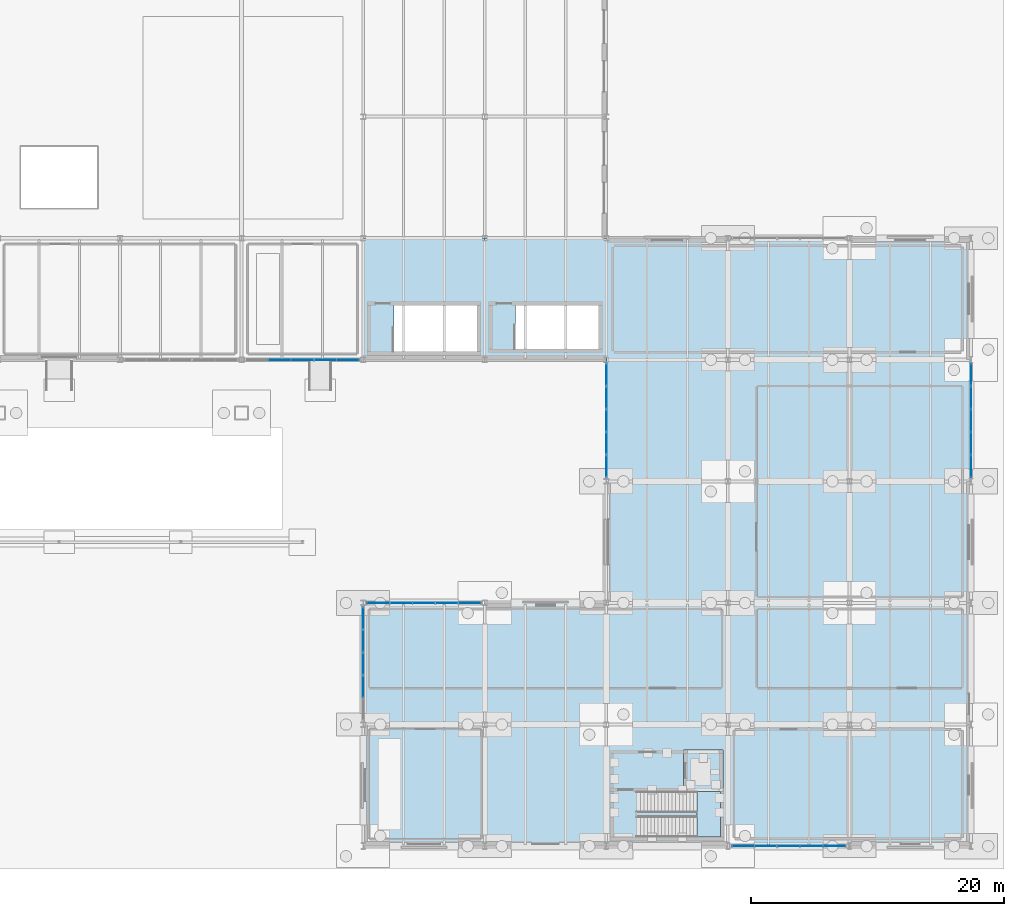
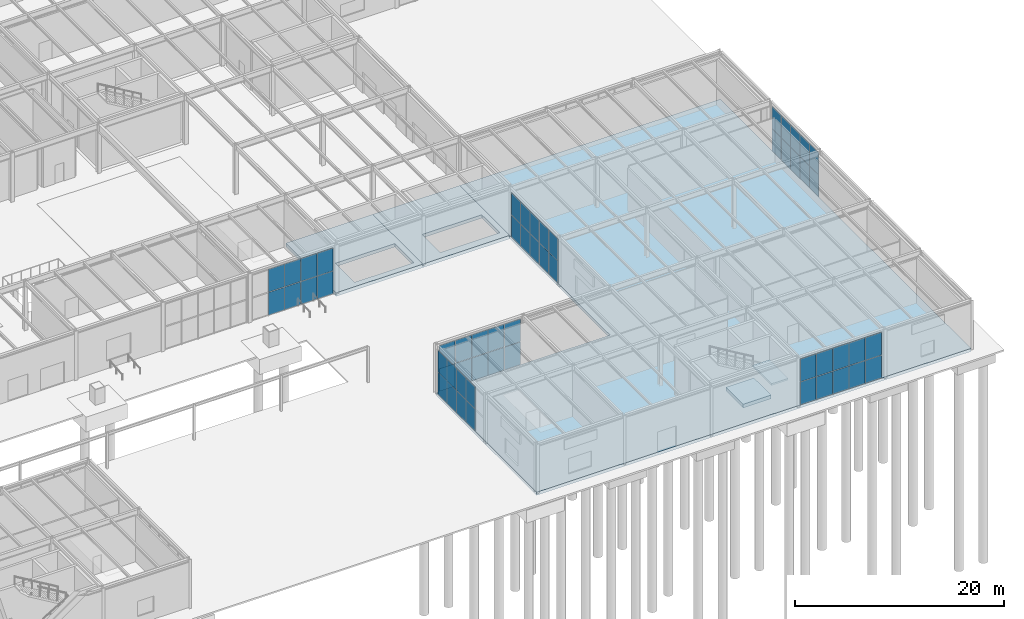
# One storey, part 110 of 142: 56 plates, 5 slabs, 7 elements without a shape of their own.
"""IFC4 building model written with IfcOpenShell, lengths in metres."""

from ifc_helpers import new_model, si_unit, direction, frame, origin, origin_2d, place, context, subcontext, project, spatial, polyline, rectangle, outline, extrude, material, layer, layer_set, type_object, element, aggregate, save


model = new_model("IFC4")

# Units and contexts
model_context = context("Model", 3, precision=1e-05, world=origin(), true_north=direction((0.0, 1.0)))
body_context = subcontext(model_context, "Body", "Model", "MODEL_VIEW")
ifc_project = project(units=[si_unit("LENGTHUNIT", "METRE"), si_unit("AREAUNIT", "SQUARE_METRE"), si_unit("VOLUMEUNIT", "CUBIC_METRE"), si_unit("PLANEANGLEUNIT", "RADIAN"), si_unit("MASSUNIT", "GRAM", prefix="KILO")], contexts=[model_context])

# Site, building, storey
site_placement = place(None, origin())
site = spatial("IfcSite", under=ifc_project, at=site_placement, CompositionType="ELEMENT")
building_placement = place(site_placement, origin())
building = spatial("IfcBuilding", under=site, at=building_placement, Name="Coralgate Yard Interchange", CompositionType="ELEMENT")
storey_placement = place(building_placement, origin())
storey = spatial("IfcBuildingStorey", under=building, at=storey_placement, Name="L00", CompositionType="ELEMENT", Elevation=0.0)

# Curtain wall, plates
ifc_material_1 = material(Name="Anodised coastal aluminium and solar-control low-E glass", Category="aluminium")
curtain_wall_type_1 = type_object("IfcCurtainWallType", Name="CW-CW-L00-A", PredefinedType="NOTDEFINED", material=ifc_material_1)
curtain_wall_1_placement = place(storey_placement, origin())
curtain_wall_1 = element("IfcCurtainWall", 1, at=curtain_wall_1_placement, inside=storey, type_object=curtain_wall_type_1, Name="L00 unitised curtain wall CW-L00-S-13-04", PredefinedType="NOTDEFINED")
ifc_material_2 = material(Name="Solar-control double-glazed low-E glass unit", Category="glass")
ifc_layer_1 = layer(ifc_material_2, 0.0419921875)
ifc_layer_set_1 = layer_set([ifc_layer_1], Name="Solar-control double-glazed low-E glass unit")
plate_type = type_object("IfcPlateType", Name="PLT-CP-42", PredefinedType="CURTAIN_PANEL", material=ifc_layer_set_1)
plate_1_placement = place(storey_placement, frame((133.199951171875, 38.39990234375, 0.025146484375), z_axis=(0.0, 0.0, 1.0), x_axis=(-1.0, 0.0, 0.0)))
plate_1 = element("IfcPlate", 2, at=plate_1_placement, type_object=plate_type, Name="CW-L00-S-13-04 solar-control glazing panel 1-1", PredefinedType="CURTAIN_PANEL", context=body_context, shape_type="SweptSolid", body=[
    extrude(rectangle(XDim=1.75, YDim=0.0419921875, at=origin_2d()), origin(), (0.0, 0.0, 1.0), 2.64990234375),
])
plate_2_placement = place(storey_placement, frame((133.199951171875, 38.39990234375, 2.72509765625), z_axis=(0.0, 0.0, 1.0), x_axis=(-1.0, 0.0, 0.0)))
plate_2 = element("IfcPlate", 3, at=plate_2_placement, type_object=plate_type, Name="CW-L00-S-13-04 solar-control glazing panel 1-2", PredefinedType="CURTAIN_PANEL", context=body_context, shape_type="SweptSolid", body=[
    extrude(rectangle(XDim=1.75, YDim=0.0419921875, at=origin_2d()), origin(), (0.0, 0.0, 1.0), 2.64990234375),
])
plate_3_placement = place(storey_placement, frame((131.39990234375, 38.39990234375, 0.025146484375), z_axis=(0.0, 0.0, 1.0), x_axis=(-1.0, 0.0, 0.0)))
plate_3 = element("IfcPlate", 4, at=plate_3_placement, type_object=plate_type, Name="CW-L00-S-13-04 solar-control glazing panel 2-1", PredefinedType="CURTAIN_PANEL", context=body_context, shape_type="SweptSolid", body=[
    extrude(rectangle(XDim=1.75, YDim=0.0419921875, at=origin_2d()), origin(), (0.0, 0.0, 1.0), 2.64990234375),
])
plate_4_placement = place(storey_placement, frame((131.39990234375, 38.39990234375, 2.72509765625), z_axis=(0.0, 0.0, 1.0), x_axis=(-1.0, 0.0, 0.0)))
plate_4 = element("IfcPlate", 5, at=plate_4_placement, type_object=plate_type, Name="CW-L00-S-13-04 solar-control glazing panel 2-2", PredefinedType="CURTAIN_PANEL", context=body_context, shape_type="SweptSolid", body=[
    extrude(rectangle(XDim=1.75, YDim=0.0419921875, at=origin_2d()), origin(), (0.0, 0.0, 1.0), 2.64990234375),
])
plate_5_placement = place(storey_placement, frame((129.60009765625, 38.39990234375, 0.025146484375), z_axis=(0.0, 0.0, 1.0), x_axis=(-1.0, 0.0, 0.0)))
plate_5 = element("IfcPlate", 6, at=plate_5_placement, type_object=plate_type, Name="CW-L00-S-13-04 solar-control glazing panel 3-1", PredefinedType="CURTAIN_PANEL", context=body_context, shape_type="SweptSolid", body=[
    extrude(rectangle(XDim=1.75, YDim=0.0419921875, at=origin_2d()), origin(), (0.0, 0.0, 1.0), 2.64990234375),
])
plate_6_placement = place(storey_placement, frame((129.60009765625, 38.39990234375, 2.72509765625), z_axis=(0.0, 0.0, 1.0), x_axis=(-1.0, 0.0, 0.0)))
plate_6 = element("IfcPlate", 7, at=plate_6_placement, type_object=plate_type, Name="CW-L00-S-13-04 solar-control glazing panel 3-2", PredefinedType="CURTAIN_PANEL", context=body_context, shape_type="SweptSolid", body=[
    extrude(rectangle(XDim=1.75, YDim=0.0419921875, at=origin_2d()), origin(), (0.0, 0.0, 1.0), 2.64990234375),
])
plate_7_placement = place(storey_placement, frame((127.800048828125, 38.39990234375, 0.025146484375), z_axis=(0.0, 0.0, 1.0), x_axis=(-1.0, 0.0, 0.0)))
plate_7 = element("IfcPlate", 8, at=plate_7_placement, type_object=plate_type, Name="CW-L00-S-13-04 solar-control glazing panel 4-1", PredefinedType="CURTAIN_PANEL", context=body_context, shape_type="SweptSolid", body=[
    extrude(rectangle(XDim=1.75, YDim=0.0419921875, at=origin_2d()), origin(), (0.0, 0.0, 1.0), 2.64990234375),
])
plate_8_placement = place(storey_placement, frame((127.800048828125, 38.39990234375, 2.72509765625), z_axis=(0.0, 0.0, 1.0), x_axis=(-1.0, 0.0, 0.0)))
plate_8 = element("IfcPlate", 9, at=plate_8_placement, type_object=plate_type, Name="CW-L00-S-13-04 solar-control glazing panel 4-2", PredefinedType="CURTAIN_PANEL", context=body_context, shape_type="SweptSolid", body=[
    extrude(rectangle(XDim=1.75, YDim=0.0419921875, at=origin_2d()), origin(), (0.0, 0.0, 1.0), 2.64990234375),
])
aggregate(curtain_wall_1, [plate_1, plate_2, plate_3, plate_4, plate_5, plate_6, plate_7, plate_8])

curtain_wall_2_placement = place(storey_placement, origin())
curtain_wall_2 = element("IfcCurtainWall", 10, at=curtain_wall_2_placement, inside=storey, type_object=curtain_wall_type_1, Name="L00 unitised curtain wall CW-L00-W-14-01", PredefinedType="NOTDEFINED")
plate_9_placement = place(storey_placement, frame((134.39990234375, 12.60009765625, 0.02490234375), z_axis=(0.0, 0.0, 1.0), x_axis=(0.0, 1.0, 0.0)))
plate_9 = element("IfcPlate", 11, at=plate_9_placement, type_object=plate_type, Name="CW-L00-W-14-01 solar-control glazing panel 2-1", PredefinedType="CURTAIN_PANEL", context=body_context, shape_type="SweptSolid", body=[
    extrude(rectangle(XDim=1.75, YDim=0.0419921875, at=origin_2d()), origin(), (0.0, 0.0, 1.0), 2.558349609375),
])
plate_10_placement = place(storey_placement, frame((134.39990234375, 12.60009765625, 2.63330078125), z_axis=(0.0, 0.0, 1.0), x_axis=(0.0, 1.0, 0.0)))
plate_10 = element("IfcPlate", 12, at=plate_10_placement, type_object=plate_type, Name="CW-L00-W-14-01 solar-control glazing panel 2-2", PredefinedType="CURTAIN_PANEL", context=body_context, shape_type="SweptSolid", body=[
    extrude(rectangle(XDim=1.75, YDim=0.0419921875, at=origin_2d()), origin(), (0.0, 0.0, 1.0), 2.558349609375),
])
plate_11_placement = place(storey_placement, frame((134.39990234375, 14.39990234375, 0.02490234375), z_axis=(0.0, 0.0, 1.0), x_axis=(0.0, 1.0, 0.0)))
plate_11 = element("IfcPlate", 13, at=plate_11_placement, type_object=plate_type, Name="CW-L00-W-14-01 solar-control glazing panel 3-1", PredefinedType="CURTAIN_PANEL", context=body_context, shape_type="SweptSolid", body=[
    extrude(rectangle(XDim=1.75, YDim=0.0419921875, at=origin_2d()), origin(), (0.0, 0.0, 1.0), 2.558349609375),
])
plate_12_placement = place(storey_placement, frame((134.39990234375, 14.39990234375, 2.63330078125), z_axis=(0.0, 0.0, 1.0), x_axis=(0.0, 1.0, 0.0)))
plate_12 = element("IfcPlate", 14, at=plate_12_placement, type_object=plate_type, Name="CW-L00-W-14-01 solar-control glazing panel 3-2", PredefinedType="CURTAIN_PANEL", context=body_context, shape_type="SweptSolid", body=[
    extrude(rectangle(XDim=1.75, YDim=0.0419921875, at=origin_2d()), origin(), (0.0, 0.0, 1.0), 2.558349609375),
])
plate_13_placement = place(storey_placement, frame((134.39990234375, 16.199951171875, 0.02490234375), z_axis=(0.0, 0.0, 1.0), x_axis=(0.0, 1.0, 0.0)))
plate_13 = element("IfcPlate", 15, at=plate_13_placement, type_object=plate_type, Name="CW-L00-W-14-01 solar-control glazing panel 4-1", PredefinedType="CURTAIN_PANEL", context=body_context, shape_type="SweptSolid", body=[
    extrude(rectangle(XDim=1.75, YDim=0.0419921875, at=origin_2d()), origin(), (0.0, 0.0, 1.0), 2.558349609375),
])
plate_14_placement = place(storey_placement, frame((134.39990234375, 16.199951171875, 2.63330078125), z_axis=(0.0, 0.0, 1.0), x_axis=(0.0, 1.0, 0.0)))
plate_14 = element("IfcPlate", 16, at=plate_14_placement, type_object=plate_type, Name="CW-L00-W-14-01 solar-control glazing panel 4-2", PredefinedType="CURTAIN_PANEL", context=body_context, shape_type="SweptSolid", body=[
    extrude(rectangle(XDim=1.75, YDim=0.0419921875, at=origin_2d()), origin(), (0.0, 0.0, 1.0), 2.558349609375),
])
plate_15_placement = place(storey_placement, frame((134.39990234375, 18.0, 0.02490234375), z_axis=(0.0, 0.0, 1.0), x_axis=(0.0, 1.0, 0.0)))
plate_15 = element("IfcPlate", 17, at=plate_15_placement, type_object=plate_type, Name="CW-L00-W-14-01 solar-control glazing panel 5-1", PredefinedType="CURTAIN_PANEL", context=body_context, shape_type="SweptSolid", body=[
    extrude(rectangle(XDim=1.75, YDim=0.0419921875, at=origin_2d()), origin(), (0.0, 0.0, 1.0), 2.558349609375),
])
plate_16_placement = place(storey_placement, frame((134.39990234375, 18.0, 2.63330078125), z_axis=(0.0, 0.0, 1.0), x_axis=(0.0, 1.0, 0.0)))
plate_16 = element("IfcPlate", 18, at=plate_16_placement, type_object=plate_type, Name="CW-L00-W-14-01 solar-control glazing panel 5-2", PredefinedType="CURTAIN_PANEL", context=body_context, shape_type="SweptSolid", body=[
    extrude(rectangle(XDim=1.75, YDim=0.0419921875, at=origin_2d()), origin(), (0.0, 0.0, 1.0), 2.558349609375),
])
aggregate(curtain_wall_2, [plate_9, plate_10, plate_11, plate_12, plate_13, plate_14, plate_15, plate_16])

curtain_wall_type_2 = type_object("IfcCurtainWallType", Name="CW-CW-L00-B", PredefinedType="NOTDEFINED", material=ifc_material_1)
curtain_wall_3_placement = place(storey_placement, origin())
curtain_wall_3 = element("IfcCurtainWall", 19, at=curtain_wall_3_placement, inside=storey, type_object=curtain_wall_type_2, Name="L00 unitised curtain wall CW-L00-N-14-01", PredefinedType="NOTDEFINED")
plate_17_placement = place(storey_placement, frame((135.60009765625, 19.199951171875, 0.025146484375), z_axis=(0.0, 0.0, 1.0), x_axis=(1.0, 0.0, 0.0)))
plate_17 = element("IfcPlate", 20, at=plate_17_placement, type_object=plate_type, Name="CW-L00-N-14-01 solar-control glazing panel 1-1", PredefinedType="CURTAIN_PANEL", context=body_context, shape_type="SweptSolid", body=[
    extrude(rectangle(XDim=1.75, YDim=0.0419921875, at=origin_2d()), origin(), (0.0, 0.0, 1.0), 2.64990234375),
])
plate_18_placement = place(storey_placement, frame((135.60009765625, 19.199951171875, 2.72509765625), z_axis=(0.0, 0.0, 1.0), x_axis=(1.0, 0.0, 0.0)))
plate_18 = element("IfcPlate", 21, at=plate_18_placement, type_object=plate_type, Name="CW-L00-N-14-01 solar-control glazing panel 1-2", PredefinedType="CURTAIN_PANEL", context=body_context, shape_type="SweptSolid", body=[
    extrude(rectangle(XDim=1.75, YDim=0.0419921875, at=origin_2d()), origin(), (0.0, 0.0, 1.0), 2.64990234375),
])
plate_19_placement = place(storey_placement, frame((137.39990234375, 19.199951171875, 0.025146484375), z_axis=(0.0, 0.0, 1.0), x_axis=(1.0, 0.0, 0.0)))
plate_19 = element("IfcPlate", 22, at=plate_19_placement, type_object=plate_type, Name="CW-L00-N-14-01 solar-control glazing panel 2-1", PredefinedType="CURTAIN_PANEL", context=body_context, shape_type="SweptSolid", body=[
    extrude(rectangle(XDim=1.75, YDim=0.0419921875, at=origin_2d()), origin(), (0.0, 0.0, 1.0), 2.64990234375),
])
plate_20_placement = place(storey_placement, frame((137.39990234375, 19.199951171875, 2.72509765625), z_axis=(0.0, 0.0, 1.0), x_axis=(1.0, 0.0, 0.0)))
plate_20 = element("IfcPlate", 23, at=plate_20_placement, type_object=plate_type, Name="CW-L00-N-14-01 solar-control glazing panel 2-2", PredefinedType="CURTAIN_PANEL", context=body_context, shape_type="SweptSolid", body=[
    extrude(rectangle(XDim=1.75, YDim=0.0419921875, at=origin_2d()), origin(), (0.0, 0.0, 1.0), 2.64990234375),
])
plate_21_placement = place(storey_placement, frame((139.199951171875, 19.199951171875, 0.025146484375), z_axis=(0.0, 0.0, 1.0), x_axis=(1.0, 0.0, 0.0)))
plate_21 = element("IfcPlate", 24, at=plate_21_placement, type_object=plate_type, Name="CW-L00-N-14-01 solar-control glazing panel 3-1", PredefinedType="CURTAIN_PANEL", context=body_context, shape_type="SweptSolid", body=[
    extrude(rectangle(XDim=1.75, YDim=0.0419921875, at=origin_2d()), origin(), (0.0, 0.0, 1.0), 2.64990234375),
])
plate_22_placement = place(storey_placement, frame((139.199951171875, 19.199951171875, 2.72509765625), z_axis=(0.0, 0.0, 1.0), x_axis=(1.0, 0.0, 0.0)))
plate_22 = element("IfcPlate", 25, at=plate_22_placement, type_object=plate_type, Name="CW-L00-N-14-01 solar-control glazing panel 3-2", PredefinedType="CURTAIN_PANEL", context=body_context, shape_type="SweptSolid", body=[
    extrude(rectangle(XDim=1.75, YDim=0.0419921875, at=origin_2d()), origin(), (0.0, 0.0, 1.0), 2.64990234375),
])
plate_23_placement = place(storey_placement, frame((141.0, 19.199951171875, 0.025146484375), z_axis=(0.0, 0.0, 1.0), x_axis=(1.0, 0.0, 0.0)))
plate_23 = element("IfcPlate", 26, at=plate_23_placement, type_object=plate_type, Name="CW-L00-N-14-01 solar-control glazing panel 4-1", PredefinedType="CURTAIN_PANEL", context=body_context, shape_type="SweptSolid", body=[
    extrude(rectangle(XDim=1.75, YDim=0.0419921875, at=origin_2d()), origin(), (0.0, 0.0, 1.0), 2.64990234375),
])
plate_24_placement = place(storey_placement, frame((141.0, 19.199951171875, 2.72509765625), z_axis=(0.0, 0.0, 1.0), x_axis=(1.0, 0.0, 0.0)))
plate_24 = element("IfcPlate", 27, at=plate_24_placement, type_object=plate_type, Name="CW-L00-N-14-01 solar-control glazing panel 4-2", PredefinedType="CURTAIN_PANEL", context=body_context, shape_type="SweptSolid", body=[
    extrude(rectangle(XDim=1.75, YDim=0.0419921875, at=origin_2d()), origin(), (0.0, 0.0, 1.0), 2.64990234375),
])
plate_25_placement = place(storey_placement, frame((142.800048828125, 19.199951171875, 0.025146484375), z_axis=(0.0, 0.0, 1.0), x_axis=(1.0, 0.0, 0.0)))
plate_25 = element("IfcPlate", 28, at=plate_25_placement, type_object=plate_type, Name="CW-L00-N-14-01 solar-control glazing panel 5-1", PredefinedType="CURTAIN_PANEL", context=body_context, shape_type="SweptSolid", body=[
    extrude(rectangle(XDim=1.75, YDim=0.0419921875, at=origin_2d()), origin(), (0.0, 0.0, 1.0), 2.64990234375),
])
plate_26_placement = place(storey_placement, frame((142.800048828125, 19.199951171875, 2.72509765625), z_axis=(0.0, 0.0, 1.0), x_axis=(1.0, 0.0, 0.0)))
plate_26 = element("IfcPlate", 29, at=plate_26_placement, type_object=plate_type, Name="CW-L00-N-14-01 solar-control glazing panel 5-2", PredefinedType="CURTAIN_PANEL", context=body_context, shape_type="SweptSolid", body=[
    extrude(rectangle(XDim=1.75, YDim=0.0419921875, at=origin_2d()), origin(), (0.0, 0.0, 1.0), 2.64990234375),
])
aggregate(curtain_wall_3, [plate_17, plate_18, plate_19, plate_20, plate_21, plate_22, plate_23, plate_24, plate_25, plate_26])

curtain_wall_4_placement = place(storey_placement, origin())
curtain_wall_4 = element("IfcCurtainWall", 30, at=curtain_wall_4_placement, inside=storey, type_object=curtain_wall_type_2, Name="L00 unitised curtain wall CW-L00-W-16-03", PredefinedType="NOTDEFINED")
plate_27_placement = place(storey_placement, frame((153.60009765625, 30.0, 0.02490234375), z_axis=(0.0, 0.0, 1.0), x_axis=(0.0, 1.0, 0.0)))
plate_27 = element("IfcPlate", 31, at=plate_27_placement, type_object=plate_type, Name="CW-L00-W-16-03 solar-control glazing panel 1-1", PredefinedType="CURTAIN_PANEL", context=body_context, shape_type="SweptSolid", body=[
    extrude(rectangle(XDim=1.75, YDim=0.0419921875, at=origin_2d()), origin(), (0.0, 0.0, 1.0), 2.558349609375),
])
plate_28_placement = place(storey_placement, frame((153.60009765625, 30.0, 2.63330078125), z_axis=(0.0, 0.0, 1.0), x_axis=(0.0, 1.0, 0.0)))
plate_28 = element("IfcPlate", 32, at=plate_28_placement, type_object=plate_type, Name="CW-L00-W-16-03 solar-control glazing panel 1-2", PredefinedType="CURTAIN_PANEL", context=body_context, shape_type="SweptSolid", body=[
    extrude(rectangle(XDim=1.75, YDim=0.0419921875, at=origin_2d()), origin(), (0.0, 0.0, 1.0), 2.558349609375),
])
plate_29_placement = place(storey_placement, frame((153.60009765625, 31.800048828125, 0.02490234375), z_axis=(0.0, 0.0, 1.0), x_axis=(0.0, 1.0, 0.0)))
plate_29 = element("IfcPlate", 33, at=plate_29_placement, type_object=plate_type, Name="CW-L00-W-16-03 solar-control glazing panel 2-1", PredefinedType="CURTAIN_PANEL", context=body_context, shape_type="SweptSolid", body=[
    extrude(rectangle(XDim=1.75, YDim=0.0419921875, at=origin_2d()), origin(), (0.0, 0.0, 1.0), 2.558349609375),
])
plate_30_placement = place(storey_placement, frame((153.60009765625, 31.800048828125, 2.63330078125), z_axis=(0.0, 0.0, 1.0), x_axis=(0.0, 1.0, 0.0)))
plate_30 = element("IfcPlate", 34, at=plate_30_placement, type_object=plate_type, Name="CW-L00-W-16-03 solar-control glazing panel 2-2", PredefinedType="CURTAIN_PANEL", context=body_context, shape_type="SweptSolid", body=[
    extrude(rectangle(XDim=1.75, YDim=0.0419921875, at=origin_2d()), origin(), (0.0, 0.0, 1.0), 2.558349609375),
])
plate_31_placement = place(storey_placement, frame((153.60009765625, 33.60009765625, 0.02490234375), z_axis=(0.0, 0.0, 1.0), x_axis=(0.0, 1.0, 0.0)))
plate_31 = element("IfcPlate", 35, at=plate_31_placement, type_object=plate_type, Name="CW-L00-W-16-03 solar-control glazing panel 3-1", PredefinedType="CURTAIN_PANEL", context=body_context, shape_type="SweptSolid", body=[
    extrude(rectangle(XDim=1.75, YDim=0.0419921875, at=origin_2d()), origin(), (0.0, 0.0, 1.0), 2.558349609375),
])
plate_32_placement = place(storey_placement, frame((153.60009765625, 33.60009765625, 2.63330078125), z_axis=(0.0, 0.0, 1.0), x_axis=(0.0, 1.0, 0.0)))
plate_32 = element("IfcPlate", 36, at=plate_32_placement, type_object=plate_type, Name="CW-L00-W-16-03 solar-control glazing panel 3-2", PredefinedType="CURTAIN_PANEL", context=body_context, shape_type="SweptSolid", body=[
    extrude(rectangle(XDim=1.75, YDim=0.0419921875, at=origin_2d()), origin(), (0.0, 0.0, 1.0), 2.558349609375),
])
plate_33_placement = place(storey_placement, frame((153.60009765625, 35.39990234375, 0.02490234375), z_axis=(0.0, 0.0, 1.0), x_axis=(0.0, 1.0, 0.0)))
plate_33 = element("IfcPlate", 37, at=plate_33_placement, type_object=plate_type, Name="CW-L00-W-16-03 solar-control glazing panel 4-1", PredefinedType="CURTAIN_PANEL", context=body_context, shape_type="SweptSolid", body=[
    extrude(rectangle(XDim=1.75, YDim=0.0419921875, at=origin_2d()), origin(), (0.0, 0.0, 1.0), 2.558349609375),
])
plate_34_placement = place(storey_placement, frame((153.60009765625, 35.39990234375, 2.63330078125), z_axis=(0.0, 0.0, 1.0), x_axis=(0.0, 1.0, 0.0)))
plate_34 = element("IfcPlate", 38, at=plate_34_placement, type_object=plate_type, Name="CW-L00-W-16-03 solar-control glazing panel 4-2", PredefinedType="CURTAIN_PANEL", context=body_context, shape_type="SweptSolid", body=[
    extrude(rectangle(XDim=1.75, YDim=0.0419921875, at=origin_2d()), origin(), (0.0, 0.0, 1.0), 2.558349609375),
])
plate_35_placement = place(storey_placement, frame((153.60009765625, 37.199951171875, 0.02490234375), z_axis=(0.0, 0.0, 1.0), x_axis=(0.0, 1.0, 0.0)))
plate_35 = element("IfcPlate", 39, at=plate_35_placement, type_object=plate_type, Name="CW-L00-W-16-03 solar-control glazing panel 5-1", PredefinedType="CURTAIN_PANEL", context=body_context, shape_type="SweptSolid", body=[
    extrude(rectangle(XDim=1.75, YDim=0.0419921875, at=origin_2d()), origin(), (0.0, 0.0, 1.0), 2.558349609375),
])
plate_36_placement = place(storey_placement, frame((153.60009765625, 37.199951171875, 2.63330078125), z_axis=(0.0, 0.0, 1.0), x_axis=(0.0, 1.0, 0.0)))
plate_36 = element("IfcPlate", 40, at=plate_36_placement, type_object=plate_type, Name="CW-L00-W-16-03 solar-control glazing panel 5-2", PredefinedType="CURTAIN_PANEL", context=body_context, shape_type="SweptSolid", body=[
    extrude(rectangle(XDim=1.75, YDim=0.0419921875, at=origin_2d()), origin(), (0.0, 0.0, 1.0), 2.558349609375),
])
aggregate(curtain_wall_4, [plate_27, plate_28, plate_29, plate_30, plate_31, plate_32, plate_33, plate_34, plate_35, plate_36])

curtain_wall_5_placement = place(storey_placement, origin())
curtain_wall_5 = element("IfcCurtainWall", 41, at=curtain_wall_5_placement, inside=storey, type_object=curtain_wall_type_2, Name="L00 unitised curtain wall CW-L00-S-17-00", PredefinedType="NOTDEFINED")
plate_37_placement = place(storey_placement, frame((171.60009765625, 0.0, 0.025146484375), z_axis=(0.0, 0.0, 1.0), x_axis=(-1.0, 0.0, 0.0)))
plate_37 = element("IfcPlate", 42, at=plate_37_placement, type_object=plate_type, Name="CW-L00-S-17-00 solar-control glazing panel 1-1", PredefinedType="CURTAIN_PANEL", context=body_context, shape_type="SweptSolid", body=[
    extrude(rectangle(XDim=1.75, YDim=0.0419921875, at=origin_2d()), origin(), (0.0, 0.0, 1.0), 2.64990234375),
])
plate_38_placement = place(storey_placement, frame((171.60009765625, 0.0, 2.72509765625), z_axis=(0.0, 0.0, 1.0), x_axis=(-1.0, 0.0, 0.0)))
plate_38 = element("IfcPlate", 43, at=plate_38_placement, type_object=plate_type, Name="CW-L00-S-17-00 solar-control glazing panel 1-2", PredefinedType="CURTAIN_PANEL", context=body_context, shape_type="SweptSolid", body=[
    extrude(rectangle(XDim=1.75, YDim=0.0419921875, at=origin_2d()), origin(), (0.0, 0.0, 1.0), 2.64990234375),
])
plate_39_placement = place(storey_placement, frame((169.800048828125, 0.0, 0.025146484375), z_axis=(0.0, 0.0, 1.0), x_axis=(-1.0, 0.0, 0.0)))
plate_39 = element("IfcPlate", 44, at=plate_39_placement, type_object=plate_type, Name="CW-L00-S-17-00 solar-control glazing panel 2-1", PredefinedType="CURTAIN_PANEL", context=body_context, shape_type="SweptSolid", body=[
    extrude(rectangle(XDim=1.75, YDim=0.0419921875, at=origin_2d()), origin(), (0.0, 0.0, 1.0), 2.64990234375),
])
plate_40_placement = place(storey_placement, frame((169.800048828125, 0.0, 2.72509765625), z_axis=(0.0, 0.0, 1.0), x_axis=(-1.0, 0.0, 0.0)))
plate_40 = element("IfcPlate", 45, at=plate_40_placement, type_object=plate_type, Name="CW-L00-S-17-00 solar-control glazing panel 2-2", PredefinedType="CURTAIN_PANEL", context=body_context, shape_type="SweptSolid", body=[
    extrude(rectangle(XDim=1.75, YDim=0.0419921875, at=origin_2d()), origin(), (0.0, 0.0, 1.0), 2.64990234375),
])
plate_41_placement = place(storey_placement, frame((168.0, 0.0, 0.025146484375), z_axis=(0.0, 0.0, 1.0), x_axis=(-1.0, 0.0, 0.0)))
plate_41 = element("IfcPlate", 46, at=plate_41_placement, type_object=plate_type, Name="CW-L00-S-17-00 solar-control glazing panel 3-1", PredefinedType="CURTAIN_PANEL", context=body_context, shape_type="SweptSolid", body=[
    extrude(rectangle(XDim=1.75, YDim=0.0419921875, at=origin_2d()), origin(), (0.0, 0.0, 1.0), 2.64990234375),
])
plate_42_placement = place(storey_placement, frame((168.0, 0.0, 2.72509765625), z_axis=(0.0, 0.0, 1.0), x_axis=(-1.0, 0.0, 0.0)))
plate_42 = element("IfcPlate", 47, at=plate_42_placement, type_object=plate_type, Name="CW-L00-S-17-00 solar-control glazing panel 3-2", PredefinedType="CURTAIN_PANEL", context=body_context, shape_type="SweptSolid", body=[
    extrude(rectangle(XDim=1.75, YDim=0.0419921875, at=origin_2d()), origin(), (0.0, 0.0, 1.0), 2.64990234375),
])
plate_43_placement = place(storey_placement, frame((166.199951171875, 0.0, 0.025146484375), z_axis=(0.0, 0.0, 1.0), x_axis=(-1.0, 0.0, 0.0)))
plate_43 = element("IfcPlate", 48, at=plate_43_placement, type_object=plate_type, Name="CW-L00-S-17-00 solar-control glazing panel 4-1", PredefinedType="CURTAIN_PANEL", context=body_context, shape_type="SweptSolid", body=[
    extrude(rectangle(XDim=1.75, YDim=0.0419921875, at=origin_2d()), origin(), (0.0, 0.0, 1.0), 2.64990234375),
])
plate_44_placement = place(storey_placement, frame((166.199951171875, 0.0, 2.72509765625), z_axis=(0.0, 0.0, 1.0), x_axis=(-1.0, 0.0, 0.0)))
plate_44 = element("IfcPlate", 49, at=plate_44_placement, type_object=plate_type, Name="CW-L00-S-17-00 solar-control glazing panel 4-2", PredefinedType="CURTAIN_PANEL", context=body_context, shape_type="SweptSolid", body=[
    extrude(rectangle(XDim=1.75, YDim=0.0419921875, at=origin_2d()), origin(), (0.0, 0.0, 1.0), 2.64990234375),
])
plate_45_placement = place(storey_placement, frame((164.39990234375, 0.0, 0.025146484375), z_axis=(0.0, 0.0, 1.0), x_axis=(-1.0, 0.0, 0.0)))
plate_45 = element("IfcPlate", 50, at=plate_45_placement, type_object=plate_type, Name="CW-L00-S-17-00 solar-control glazing panel 5-1", PredefinedType="CURTAIN_PANEL", context=body_context, shape_type="SweptSolid", body=[
    extrude(rectangle(XDim=1.75, YDim=0.0419921875, at=origin_2d()), origin(), (0.0, 0.0, 1.0), 2.64990234375),
])
plate_46_placement = place(storey_placement, frame((164.39990234375, 0.0, 2.72509765625), z_axis=(0.0, 0.0, 1.0), x_axis=(-1.0, 0.0, 0.0)))
plate_46 = element("IfcPlate", 51, at=plate_46_placement, type_object=plate_type, Name="CW-L00-S-17-00 solar-control glazing panel 5-2", PredefinedType="CURTAIN_PANEL", context=body_context, shape_type="SweptSolid", body=[
    extrude(rectangle(XDim=1.75, YDim=0.0419921875, at=origin_2d()), origin(), (0.0, 0.0, 1.0), 2.64990234375),
])
aggregate(curtain_wall_5, [plate_37, plate_38, plate_39, plate_40, plate_41, plate_42, plate_43, plate_44, plate_45, plate_46])

curtain_wall_6_placement = place(storey_placement, origin())
curtain_wall_6 = element("IfcCurtainWall", 52, at=curtain_wall_6_placement, inside=storey, type_object=curtain_wall_type_2, Name="L00 unitised curtain wall CW-L00-E-18-03", PredefinedType="NOTDEFINED")
plate_47_placement = place(storey_placement, frame((182.39990234375, 37.199951171875, 0.02490234375), z_axis=(0.0, 0.0, 1.0), x_axis=(0.0, -1.0, 0.0)))
plate_47 = element("IfcPlate", 53, at=plate_47_placement, type_object=plate_type, Name="CW-L00-E-18-03 solar-control glazing panel 1-1", PredefinedType="CURTAIN_PANEL", context=body_context, shape_type="SweptSolid", body=[
    extrude(rectangle(XDim=1.75, YDim=0.0419921875, at=origin_2d()), origin(), (0.0, 0.0, 1.0), 2.558349609375),
])
plate_48_placement = place(storey_placement, frame((182.39990234375, 37.199951171875, 2.63330078125), z_axis=(0.0, 0.0, 1.0), x_axis=(0.0, -1.0, 0.0)))
plate_48 = element("IfcPlate", 54, at=plate_48_placement, type_object=plate_type, Name="CW-L00-E-18-03 solar-control glazing panel 1-2", PredefinedType="CURTAIN_PANEL", context=body_context, shape_type="SweptSolid", body=[
    extrude(rectangle(XDim=1.75, YDim=0.0419921875, at=origin_2d()), origin(), (0.0, 0.0, 1.0), 2.558349609375),
])
plate_49_placement = place(storey_placement, frame((182.39990234375, 35.39990234375, 0.02490234375), z_axis=(0.0, 0.0, 1.0), x_axis=(0.0, -1.0, 0.0)))
plate_49 = element("IfcPlate", 55, at=plate_49_placement, type_object=plate_type, Name="CW-L00-E-18-03 solar-control glazing panel 2-1", PredefinedType="CURTAIN_PANEL", context=body_context, shape_type="SweptSolid", body=[
    extrude(rectangle(XDim=1.75, YDim=0.0419921875, at=origin_2d()), origin(), (0.0, 0.0, 1.0), 2.558349609375),
])
plate_50_placement = place(storey_placement, frame((182.39990234375, 35.39990234375, 2.63330078125), z_axis=(0.0, 0.0, 1.0), x_axis=(0.0, -1.0, 0.0)))
plate_50 = element("IfcPlate", 56, at=plate_50_placement, type_object=plate_type, Name="CW-L00-E-18-03 solar-control glazing panel 2-2", PredefinedType="CURTAIN_PANEL", context=body_context, shape_type="SweptSolid", body=[
    extrude(rectangle(XDim=1.75, YDim=0.0419921875, at=origin_2d()), origin(), (0.0, 0.0, 1.0), 2.558349609375),
])
plate_51_placement = place(storey_placement, frame((182.39990234375, 33.60009765625, 0.02490234375), z_axis=(0.0, 0.0, 1.0), x_axis=(0.0, -1.0, 0.0)))
plate_51 = element("IfcPlate", 57, at=plate_51_placement, type_object=plate_type, Name="CW-L00-E-18-03 solar-control glazing panel 3-1", PredefinedType="CURTAIN_PANEL", context=body_context, shape_type="SweptSolid", body=[
    extrude(rectangle(XDim=1.75, YDim=0.0419921875, at=origin_2d()), origin(), (0.0, 0.0, 1.0), 2.558349609375),
])
plate_52_placement = place(storey_placement, frame((182.39990234375, 33.60009765625, 2.63330078125), z_axis=(0.0, 0.0, 1.0), x_axis=(0.0, -1.0, 0.0)))
plate_52 = element("IfcPlate", 58, at=plate_52_placement, type_object=plate_type, Name="CW-L00-E-18-03 solar-control glazing panel 3-2", PredefinedType="CURTAIN_PANEL", context=body_context, shape_type="SweptSolid", body=[
    extrude(rectangle(XDim=1.75, YDim=0.0419921875, at=origin_2d()), origin(), (0.0, 0.0, 1.0), 2.558349609375),
])
plate_53_placement = place(storey_placement, frame((182.39990234375, 31.800048828125, 0.02490234375), z_axis=(0.0, 0.0, 1.0), x_axis=(0.0, -1.0, 0.0)))
plate_53 = element("IfcPlate", 59, at=plate_53_placement, type_object=plate_type, Name="CW-L00-E-18-03 solar-control glazing panel 4-1", PredefinedType="CURTAIN_PANEL", context=body_context, shape_type="SweptSolid", body=[
    extrude(rectangle(XDim=1.75, YDim=0.0419921875, at=origin_2d()), origin(), (0.0, 0.0, 1.0), 2.558349609375),
])
plate_54_placement = place(storey_placement, frame((182.39990234375, 31.800048828125, 2.63330078125), z_axis=(0.0, 0.0, 1.0), x_axis=(0.0, -1.0, 0.0)))
plate_54 = element("IfcPlate", 60, at=plate_54_placement, type_object=plate_type, Name="CW-L00-E-18-03 solar-control glazing panel 4-2", PredefinedType="CURTAIN_PANEL", context=body_context, shape_type="SweptSolid", body=[
    extrude(rectangle(XDim=1.75, YDim=0.0419921875, at=origin_2d()), origin(), (0.0, 0.0, 1.0), 2.558349609375),
])
plate_55_placement = place(storey_placement, frame((182.39990234375, 30.0, 0.02490234375), z_axis=(0.0, 0.0, 1.0), x_axis=(0.0, -1.0, 0.0)))
plate_55 = element("IfcPlate", 61, at=plate_55_placement, type_object=plate_type, Name="CW-L00-E-18-03 solar-control glazing panel 5-1", PredefinedType="CURTAIN_PANEL", context=body_context, shape_type="SweptSolid", body=[
    extrude(rectangle(XDim=1.75, YDim=0.0419921875, at=origin_2d()), origin(), (0.0, 0.0, 1.0), 2.558349609375),
])
plate_56_placement = place(storey_placement, frame((182.39990234375, 30.0, 2.63330078125), z_axis=(0.0, 0.0, 1.0), x_axis=(0.0, -1.0, 0.0)))
plate_56 = element("IfcPlate", 62, at=plate_56_placement, type_object=plate_type, Name="CW-L00-E-18-03 solar-control glazing panel 5-2", PredefinedType="CURTAIN_PANEL", context=body_context, shape_type="SweptSolid", body=[
    extrude(rectangle(XDim=1.75, YDim=0.0419921875, at=origin_2d()), origin(), (0.0, 0.0, 1.0), 2.558349609375),
])
aggregate(curtain_wall_6, [plate_47, plate_48, plate_49, plate_50, plate_51, plate_52, plate_53, plate_54, plate_55, plate_56])

# Stair, slab
ifc_material_3 = material(Name="Concrete C40/50", Category="concrete")
stair_type = type_object("IfcStairType", Name="STR-DL-165-60", PredefinedType="HALF_TURN_STAIR", material=ifc_material_3)
stair_placement = place(storey_placement, origin())
stair = element("IfcStair", 63, at=stair_placement, inside=storey, type_object=stair_type, Name="L00 Escape stair ST-08", PredefinedType="HALF_TURN_STAIR")
ifc_layer_2 = layer(ifc_material_3, 0.199951171875)
ifc_layer_set_2 = layer_set([ifc_layer_2], Name="Concrete C40/50")
slab_type_1 = type_object("IfcSlabType", Name="SLB-LND200", PredefinedType="LANDING", material=ifc_layer_set_2)
slab_1_placement = place(storey_placement, frame((0.0, 0.0, 2.800048828125)))
slab_1 = element("IfcSlab", 64, at=slab_1_placement, type_object=slab_type_1, Name="ST-08 landing 1", PredefinedType="LANDING", context=body_context, shape_type="SweptSolid", body=[
    extrude(outline(polyline([(160.760009765625, 0.719970703125), (162.60009765625, 0.719970703125), (162.60009765625, 4.31005859375), (160.760009765625, 4.31005859375), (160.760009765625, 0.719970703125)])), origin(), (0.0, 0.0, 1.0), 0.199951171875),
])
aggregate(stair, [slab_1])

# Slabs
ifc_layer_3 = layer(ifc_material_3, 0.419921875)
ifc_layer_set_3 = layer_set([ifc_layer_3], Name="Concrete C40/50")
slab_type_2 = type_object("IfcSlabType", Name="SLB-PIT300", PredefinedType="BASESLAB", material=ifc_layer_set_3)
slab_2_placement = place(storey_placement, frame((0.0, 0.0, -1.6201171875)))
element("IfcSlab", 65, at=slab_2_placement, inside=storey, type_object=slab_type_2, Name="LF-06 concrete lift pit base", PredefinedType="BASESLAB", context=body_context, shape_type="SweptSolid", body=[
    extrude(outline(polyline([(159.699951171875, 4.300048828125), (162.800048828125, 4.300048828125), (162.800048828125, 7.60009765625), (159.699951171875, 7.60009765625), (159.699951171875, 4.300048828125)])), origin(), (0.0, 0.0, 1.0), 0.420166015625),
])
ifc_layer_4 = layer(ifc_material_3, 0.39990234375)
ifc_layer_set_4 = layer_set([ifc_layer_4], Name="Concrete C40/50")
slab_type_3 = type_object("IfcSlabType", Name="SLB-SL-GND400", PredefinedType="FLOOR", material=ifc_layer_set_4)
slab_3_placement = place(storey_placement, frame((0.0, 0.0, -0.39990234375)))
element("IfcSlab", 66, at=slab_3_placement, inside=storey, type_object=slab_type_3, Name="L00 core C13 structural floor slab", PredefinedType="FLOOR", context=body_context, shape_type="SweptSolid", body=[
    extrude(outline(polyline([(134.39990234375, 48.0), (144.0, 48.0), (144.0, 38.39990234375), (134.39990234375, 38.39990234375), (134.39990234375, 48.0)]), holes=[polyline([(143.39990234375, 39.050048828125), (143.39990234375, 42.7099609375), (136.820068359375, 42.7099609375), (136.820068359375, 39.050048828125), (143.39990234375, 39.050048828125)])]), origin(), (0.0, 0.0, 1.0), 0.39990234375),
])
slab_4_placement = place(storey_placement, frame((0.0, 0.0, -0.39990234375)))
element("IfcSlab", 67, at=slab_4_placement, inside=storey, type_object=slab_type_3, Name="L00 core C10 structural floor slab", PredefinedType="FLOOR", context=body_context, shape_type="SweptSolid", body=[
    extrude(outline(polyline([(144.0, 48.0), (153.60009765625, 48.0), (153.60009765625, 38.39990234375), (144.0, 38.39990234375), (144.0, 48.0)]), holes=[polyline([(153.0, 39.260009765625), (153.0, 42.7099609375), (146.419921875, 42.7099609375), (146.419921875, 39.260009765625), (153.0, 39.260009765625)])]), origin(), (0.0, 0.0, 1.0), 0.39990234375),
])
ifc_layer_5 = layer(ifc_material_3, 0.360107421875)
ifc_layer_set_5 = layer_set([ifc_layer_5], Name="Concrete C40/50")
slab_type_4 = type_object("IfcSlabType", Name="SLB-SL-SOG360", PredefinedType="BASESLAB", material=ifc_layer_set_5)
slab_5_placement = place(storey_placement, frame((0.0, 0.0, -0.360107421875)))
element("IfcSlab", 68, at=slab_5_placement, inside=storey, type_object=slab_type_4, Name="L00 cycle hub L-shaped ground slab", PredefinedType="BASESLAB", context=body_context, shape_type="SweptSolid", body=[
    extrude(outline(polyline([(163.199951171875, 0.0), (153.60009765625, 0.0), (144.0, 0.0), (134.39990234375, 0.0), (134.39990234375, 9.60009765625), (134.39990234375, 19.199951171875), (144.0, 19.199951171875), (153.60009765625, 19.199951171875), (153.60009765625, 28.800048828125), (153.60009765625, 38.39990234375), (153.60009765625, 48.0), (163.199951171875, 48.0), (172.800048828125, 48.0), (182.39990234375, 48.0), (182.39990234375, 38.39990234375), (182.39990234375, 28.800048828125), (182.39990234375, 19.199951171875), (182.39990234375, 9.60009765625), (182.39990234375, 0.0), (172.800048828125, 0.0), (163.199951171875, 0.0)])), origin(), (0.0, 0.0, 1.0), 0.360107421875),
])

save(model, "model.ifc")
